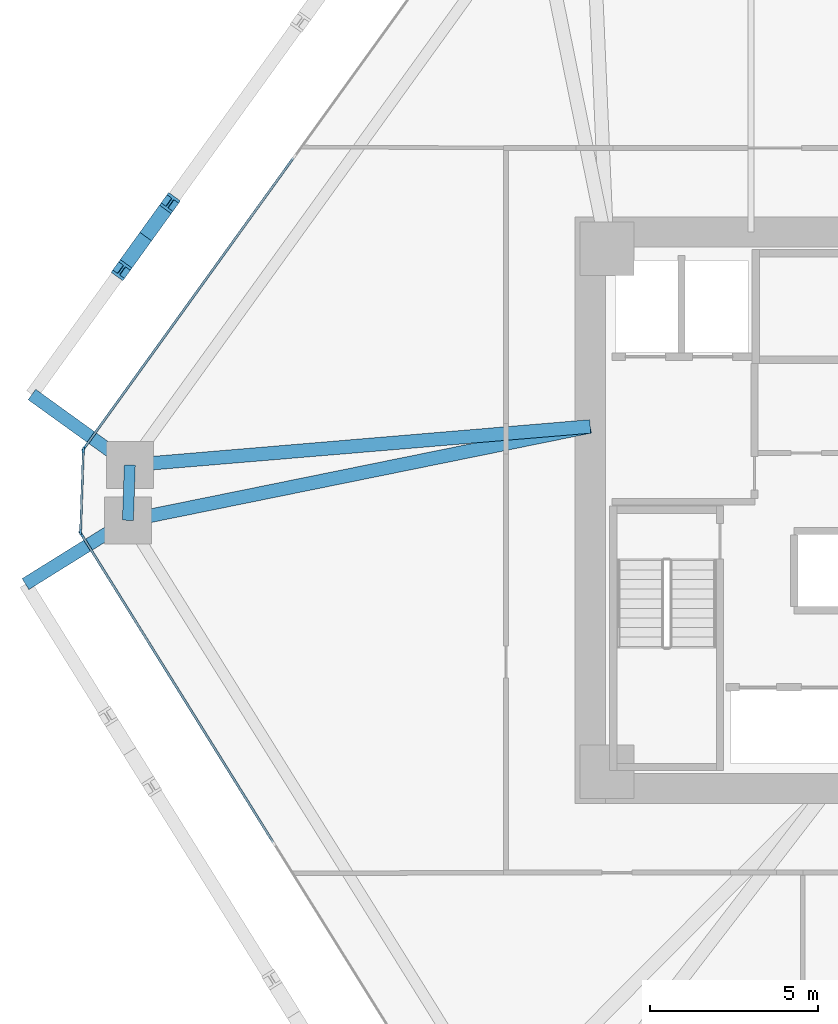
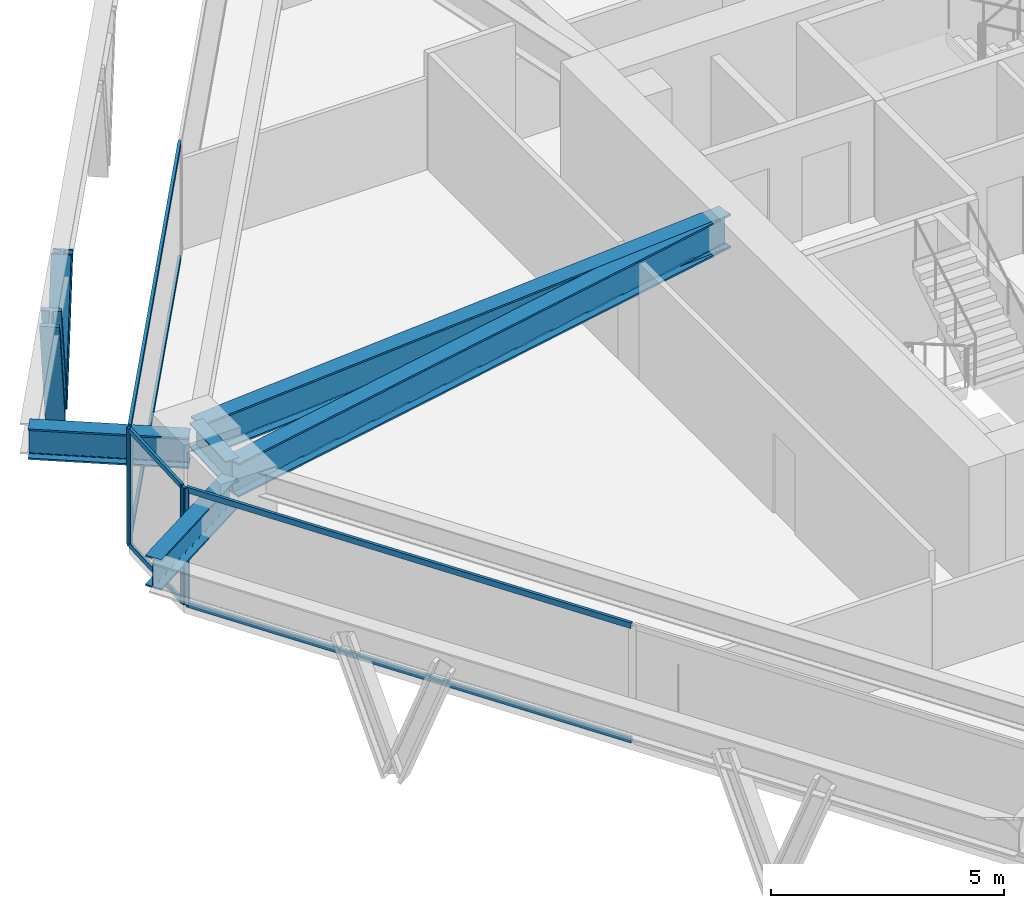
# One storey, part 4 of 14: 12 members, 5 beams, 3 elements without a shape of their own.
"""IFC4 building model written with IfcOpenShell, lengths in metres."""

from ifc_helpers import new_model, si_unit, direction, frame, origin, origin_2d, place, context, subcontext, project, spatial, rectangle, i_section, extrude, source, transform, mapped, material, layer, layer_set, material_profile, profile_set, type_object, type_shapes, element, aggregate, save


model = new_model("IFC4")

# Units and contexts
model_context = context("Model", 3, precision=1e-05, world=origin(), true_north=direction((0.0, 1.0)))
body_context = subcontext(model_context, "Body", "Model", "MODEL_VIEW")
ifc_project = project(units=[si_unit("LENGTHUNIT", "METRE"), si_unit("AREAUNIT", "SQUARE_METRE"), si_unit("VOLUMEUNIT", "CUBIC_METRE"), si_unit("PLANEANGLEUNIT", "RADIAN"), si_unit("MASSUNIT", "GRAM", prefix="KILO")], contexts=[model_context])

# Site, building, storey
site_placement = place(None, origin())
site = spatial("IfcSite", under=ifc_project, at=site_placement, CompositionType="ELEMENT")
building_placement = place(site_placement, origin())
building = spatial("IfcBuilding", under=site, at=building_placement, Name="Durnholm Broadcast Tower", CompositionType="ELEMENT")
storey_placement = place(building_placement, frame((0.0, 0.0, 35.699951171875)))
storey = spatial("IfcBuildingStorey", under=building, at=storey_placement, Name="L07", CompositionType="ELEMENT", Elevation=35.699951171875)

# Beams
ifc_material_1 = material(Name="Steel ASTM A992 Grade 50", Category="steel")
ifc_material_profile_1 = material_profile(ifc_material_1, i_section(OverallWidth=0.3291015625, OverallDepth=0.635009765625, WebThickness=0.017822265625, FlangeThickness=0.031005859375, FilletRadius=0.02783203125, at=origin_2d()), Name="W24X162")
ifc_profile_set_1 = profile_set([ifc_material_profile_1], Name="Steel ASTM A992 Grade 50")
beam_type_1 = type_object("IfcBeamType", Name="STL-SP-W24X162", PredefinedType="SPANDREL", material=ifc_profile_set_1)
shared_shape_1 = source(origin(), body_context, "Body", "SweptSolid", [
    extrude(i_section(OverallWidth=0.3291015625, OverallDepth=0.635009765625, WebThickness=0.017822265625, FlangeThickness=0.031005859375, FilletRadius=0.02783203125, at=origin_2d()), origin(), (0.0, 0.0, 1.0), 1.648193359375),
])
type_shapes(beam_type_1, [shared_shape_1])
beam_1_placement = place(storey_placement, frame((-24.0908203125, -0.2998046875, 2.7275390625), z_axis=(0.033921477804, 0.999424501072, 0.0), x_axis=(-0.999424501072, 0.033921477804, 0.0)))
element("IfcBeam", 1, at=beam_1_placement, inside=storey, type_object=beam_type_1, Name="L07 perimeter spandrel girder 02", PredefinedType="SPANDREL", context=body_context, shape_type="MappedRepresentation", body=[
    mapped(shared_shape_1, transform((0.0, 0.0, 0.0), x_axis=(1.0, 0.0, 0.0), y_axis=(0.0, 1.0, 0.0), z_axis=(0.0, 0.0, 1.0), scale=1.0)),
])
ifc_material_profile_2 = material_profile(ifc_material_1, i_section(OverallWidth=0.404052734375, OverallDepth=0.885009765625, WebThickness=0.0244140625, FlangeThickness=0.0439453125, FilletRadius=0.03564453125, at=origin_2d()), Name="W33X291")
ifc_profile_set_2 = profile_set([ifc_material_profile_2], Name="Steel ASTM A992 Grade 50")
beam_type_2 = type_object("IfcBeamType", Name="STL-GR-W33X291", PredefinedType="USERDEFINED", material=ifc_profile_set_2)
shared_shape_2 = source(origin(), body_context, "Body", "SweptSolid", [
    extrude(i_section(OverallWidth=0.404052734375, OverallDepth=0.885009765625, WebThickness=0.0244140625, FlangeThickness=0.0439453125, FilletRadius=0.03564453125, at=origin_2d()), origin(), (0.0, 0.0, 1.0), 14.072021484375),
])
beam_2_placement = place(storey_placement, frame((-10.300048828125, 2.5, 2.6025390625), z_axis=(-0.980007356767, -0.198961254225, 0.0), x_axis=(0.198961254225, -0.980007356767, 0.0)))
element("IfcBeam", 2, at=beam_2_placement, inside=storey, type_object=beam_type_2, Name="L07 radial primary floor girder 02", ObjectType="GIRDER", PredefinedType="USERDEFINED", context=body_context, shape_type="MappedRepresentation", body=[
    mapped(shared_shape_2, transform((0.0, 0.0, 0.0), x_axis=(1.0, 0.0, 0.0), y_axis=(0.0, 1.0, 0.0), z_axis=(0.0, 0.0, 1.0), scale=1.0)),
])
shared_shape_3 = source(origin(), body_context, "Body", "SweptSolid", [
    extrude(i_section(OverallWidth=0.404052734375, OverallDepth=0.885009765625, WebThickness=0.0244140625, FlangeThickness=0.0439453125, FilletRadius=0.03564453125, at=origin_2d()), origin(), (0.0, 0.0, 1.0), 13.783203125),
])
type_shapes(beam_type_2, [shared_shape_2, shared_shape_3])
beam_3_placement = place(storey_placement, frame((-10.300048828125, 2.5, 2.6025390625), z_axis=(-0.996497460403, -0.083623031579, 0.0), x_axis=(0.083623031579, -0.996497460403, 0.0)))
element("IfcBeam", 3, at=beam_3_placement, inside=storey, type_object=beam_type_2, Name="L07 radial primary floor girder 03", ObjectType="GIRDER", PredefinedType="USERDEFINED", context=body_context, shape_type="MappedRepresentation", body=[
    mapped(shared_shape_3, transform((0.0, 0.0, 0.0), x_axis=(1.0, 0.0, 0.0), y_axis=(0.0, 1.0, 0.0), z_axis=(0.0, 0.0, 1.0), scale=1.0)),
])
ifc_material_profile_3 = material_profile(ifc_material_1, i_section(OverallWidth=0.385009765625, OverallDepth=0.802978515625, WebThickness=0.023681640625, FlangeThickness=0.0419921875, FilletRadius=0.032958984375, at=origin_2d()), Name="W30X261")
ifc_profile_set_3 = profile_set([ifc_material_profile_3], Name="Steel ASTM A992 Grade 50")
beam_type_3 = type_object("IfcBeamType", Name="BM-EXO-TIE", PredefinedType="USERDEFINED", material=ifc_profile_set_3)
shared_shape_4 = source(origin(), body_context, "Body", "SweptSolid", [
    extrude(i_section(OverallWidth=0.385009765625, OverallDepth=0.802978515625, WebThickness=0.023681640625, FlangeThickness=0.0419921875, FilletRadius=0.032958984375, at=origin_2d()), origin(), (0.0, 0.0, 1.0), 3.4560546875),
])
beam_4_placement = place(storey_placement, frame((-24.212890625, -0.375732421875, 2.30859375), z_axis=(-0.848874183218, -0.528594949906, 0.0), x_axis=(0.528594949906, -0.848874183218, 0.0)))
element("IfcBeam", 4, at=beam_4_placement, inside=storey, type_object=beam_type_3, Name="L07 exoskeleton stand-off tie bracket F6.1", ObjectType="GIRDER", PredefinedType="USERDEFINED", context=body_context, shape_type="MappedRepresentation", body=[
    mapped(shared_shape_4, transform((0.0, 0.0, 0.0), x_axis=(1.0, 0.0, 0.0), y_axis=(0.0, 1.0, 0.0), z_axis=(0.0, 0.0, 1.0), scale=1.0)),
])
shared_shape_5 = source(origin(), body_context, "Body", "SweptSolid", [
    extrude(i_section(OverallWidth=0.385009765625, OverallDepth=0.802978515625, WebThickness=0.023681640625, FlangeThickness=0.0419921875, FilletRadius=0.032958984375, at=origin_2d()), origin(), (0.0, 0.0, 1.0), 3.455810546875),
])
type_shapes(beam_type_3, [shared_shape_4, shared_shape_5])
beam_5_placement = place(storey_placement, frame((-24.15185546875, 1.431396484375, 2.30859375), z_axis=(-0.811133512552, 0.584861030344, 0.0), x_axis=(-0.584861030344, -0.811133512552, 0.0)))
element("IfcBeam", 5, at=beam_5_placement, inside=storey, type_object=beam_type_3, Name="L07 exoskeleton stand-off tie bracket F5.2", ObjectType="GIRDER", PredefinedType="USERDEFINED", context=body_context, shape_type="MappedRepresentation", body=[
    mapped(shared_shape_5, transform((0.0, 0.0, 0.0), x_axis=(1.0, 0.0, 0.0), y_axis=(0.0, 1.0, 0.0), z_axis=(0.0, 0.0, 1.0), scale=1.0)),
])

# Members
ifc_material_2 = material(Name="Steel ASTM A913 Grade 65", Category="steel")
ifc_material_profile_4 = material_profile(ifc_material_2, i_section(OverallWidth=0.43212890625, OverallDepth=0.497802734375, WebThickness=0.0556640625, FlangeThickness=0.0888671875, FilletRadius=0.030517578125, at=origin_2d()), Name="W14X500")
ifc_profile_set_4 = profile_set([ifc_material_profile_4], Name="Steel ASTM A913 Grade 65")
member_type_1 = type_object("IfcMemberType", Name="STL-DG-W14X500", PredefinedType="BRACE", material=ifc_profile_set_4)
shared_shape_6 = source(origin(), body_context, "Body", "SweptSolid", [
    extrude(i_section(OverallWidth=0.43212890625, OverallDepth=0.497802734375, WebThickness=0.0556640625, FlangeThickness=0.0888671875, FilletRadius=0.030517578125, at=origin_2d()), origin(), (0.0, 0.0, 1.0), 3.523193359375),
])
type_shapes(member_type_1, [shared_shape_6])
for number, where, z_axis, x_axis, name in (
    (6, (-23.5595703125, 8.16259765625, -0.991455078125), (0.204839138341, 0.284044529113, 0.93667477434), (-0.81109123444, 0.58491966065, 0.0), "L07 stand-off diagrid brace F5.D2.1"),
    (7, (-23.5595703125, 8.16259765625, -0.991455078125), (-0.20477274847, -0.284048560399, 0.936688068046), (0.811185111535, -0.584789461963, 0.0), "L07 stand-off diagrid brace F5.D2.2"),
):
    element("IfcMember", number, at=place(storey_placement, frame(where, z_axis=z_axis, x_axis=x_axis)), inside=storey, type_object=member_type_1, Name=name, PredefinedType="BRACE", context=body_context, shape_type="MappedRepresentation", body=[
        mapped(shared_shape_6, transform((0.0, 0.0, 0.0), x_axis=(1.0, 0.0, 0.0), y_axis=(0.0, 1.0, 0.0), z_axis=(0.0, 0.0, 1.0), scale=1.0)),
    ])

# Curtain wall, members
ifc_material_3 = material(Name="Aluminium and Solar Control IGU", Category="aluminium")
ifc_layer_1 = layer(ifc_material_3, 0.1650390625)
ifc_layer_set_1 = layer_set([ifc_layer_1], Name="Aluminium and Solar Control IGU")
curtain_wall_type_1 = type_object("IfcCurtainWallType", Name="CW-SYS-5", PredefinedType="NOTDEFINED", material=ifc_layer_set_1)
curtain_wall_1_placement = place(storey_placement, origin())
curtain_wall_1 = element("IfcCurtainWall", 8, at=curtain_wall_1_placement, inside=storey, type_object=curtain_wall_type_1, Name="L07 curtain wall CW-CORNER CW-L07-CRN-01", PredefinedType="NOTDEFINED")
ifc_material_4 = material(Name="Aluminium 6063-T6", Category="aluminium")
ifc_material_profile_5 = material_profile(ifc_material_4, rectangle(XDim=0.06494140625, YDim=0.1650390625, at=origin_2d()), Name="CWM65X165")
ifc_profile_set_5 = profile_set([ifc_material_profile_5], Name="Aluminium 6063-T6")
member_type_2 = type_object("IfcMemberType", Name="CW-SYS-5-MUL", PredefinedType="MULLION", material=ifc_profile_set_5)
shared_shape_7 = source(origin(), body_context, "Body", "SweptSolid", [
    extrude(rectangle(XDim=0.06494140625, YDim=0.1650390625, at=origin_2d()), origin(), (0.0, 0.0, 1.0), 3.06005859375),
])
type_shapes(member_type_2, [shared_shape_7])
member_1_placement = place(storey_placement, frame((-25.50341796875, -0.6455078125, 0.0), z_axis=(0.0, 0.0, 1.0), x_axis=(-0.999427277772, 0.033839569233, 0.0)))
member_1 = element("IfcMember", 9, at=member_1_placement, type_object=member_type_2, Name="CW-CORNER mullion 1", PredefinedType="MULLION", context=body_context, shape_type="MappedRepresentation", body=[
    mapped(shared_shape_7, transform((0.0, 0.0, 0.0), x_axis=(1.0, 0.0, 0.0), y_axis=(0.0, 1.0, 0.0), z_axis=(0.0, 0.0, 1.0), scale=1.0)),
])
member_2_placement = place(storey_placement, frame((-25.4208984375, 1.7880859375, 0.0), z_axis=(0.0, 0.0, 1.0), x_axis=(-0.999427277772, 0.033839569233, 0.0)))
member_2 = element("IfcMember", 10, at=member_2_placement, type_object=member_type_2, Name="CW-CORNER mullion 2", PredefinedType="MULLION", context=body_context, shape_type="MappedRepresentation", body=[
    mapped(shared_shape_7, transform((0.0, 0.0, 0.0), x_axis=(1.0, 0.0, 0.0), y_axis=(0.0, 1.0, 0.0), z_axis=(0.0, 0.0, 1.0), scale=1.0)),
])
ifc_material_profile_6 = material_profile(ifc_material_4, rectangle(XDim=0.06494140625, YDim=0.1298828125, at=origin_2d()), Name="CWT65X130")
ifc_profile_set_6 = profile_set([ifc_material_profile_6], Name="Aluminium 6063-T6")
member_type_3 = type_object("IfcMemberType", Name="CW-SYS-5-TRN", PredefinedType="USERDEFINED", material=ifc_profile_set_6)
shared_shape_8 = source(origin(), body_context, "Body", "SweptSolid", [
    extrude(rectangle(XDim=0.06494140625, YDim=0.1298828125, at=origin_2d()), origin(), (0.0, 0.0, 1.0), 2.3701171875),
])
type_shapes(member_type_3, [shared_shape_8])
member_3_placement = place(storey_placement, frame((-25.502197265625, -0.613037109375, 0.032470703125), z_axis=(0.033788158898, 0.999429017148, 0.0), x_axis=(-0.999429017148, 0.033788158898, 0.0)))
member_3 = element("IfcMember", 11, at=member_3_placement, type_object=member_type_3, Name="CW-CORNER transom 1.1", ObjectType="TRANSOM", PredefinedType="USERDEFINED", context=body_context, shape_type="MappedRepresentation", body=[
    mapped(shared_shape_8, transform((0.0, 0.0, 0.0), x_axis=(1.0, 0.0, 0.0), y_axis=(0.0, 1.0, 0.0), z_axis=(0.0, 0.0, 1.0), scale=1.0)),
])
member_4_placement = place(storey_placement, frame((-25.502197265625, -0.613037109375, 3.027587890625), z_axis=(0.033788158898, 0.999429017148, 0.0), x_axis=(-0.999429017148, 0.033788158898, 0.0)))
member_4 = element("IfcMember", 12, at=member_4_placement, type_object=member_type_3, Name="CW-CORNER transom 1.2", ObjectType="TRANSOM", PredefinedType="USERDEFINED", context=body_context, shape_type="MappedRepresentation", body=[
    mapped(shared_shape_8, transform((0.0, 0.0, 0.0), x_axis=(1.0, 0.0, 0.0), y_axis=(0.0, 1.0, 0.0), z_axis=(0.0, 0.0, 1.0), scale=1.0)),
])
aggregate(curtain_wall_1, [member_1, member_2, member_3, member_4])

# Curtain wall, member
ifc_layer_2 = layer(ifc_material_3, 0.18994140625)
ifc_layer_set_2 = layer_set([ifc_layer_2], Name="Aluminium and Solar Control IGU")
curtain_wall_type_2 = type_object("IfcCurtainWallType", Name="CW-SYS-3", PredefinedType="NOTDEFINED", material=ifc_layer_set_2)
curtain_wall_2_placement = place(storey_placement, origin())
curtain_wall_2 = element("IfcCurtainWall", 13, at=curtain_wall_2_placement, inside=storey, type_object=curtain_wall_type_2, Name="L07 curtain wall CW-Z12-VIS CW-L07-F02", PredefinedType="NOTDEFINED")
ifc_material_profile_7 = material_profile(ifc_material_4, rectangle(XDim=0.070068359375, YDim=0.18994140625, at=origin_2d()), Name="CWM70X190")
ifc_profile_set_7 = profile_set([ifc_material_profile_7], Name="Aluminium 6063-T6")
member_type_4 = type_object("IfcMemberType", Name="CW-SYS-3-MUL", PredefinedType="MULLION", material=ifc_profile_set_7)
shared_shape_9 = source(origin(), body_context, "Body", "SweptSolid", [
    extrude(rectangle(XDim=0.070068359375, YDim=0.18994140625, at=origin_2d()), origin(), (0.0, 0.0, 1.0), 3.06005859375),
])
type_shapes(member_type_4, [shared_shape_9])
member_5_placement = place(storey_placement, frame((-25.3994140625, 1.848876953125, 0.0), z_axis=(0.0, 0.0, 1.0), x_axis=(-0.81116057493, 0.584823496176, 0.0)))
member_5 = element("IfcMember", 14, at=member_5_placement, type_object=member_type_4, Name="CW-Z12-VIS mullion 1", PredefinedType="MULLION", context=body_context, shape_type="MappedRepresentation", body=[
    mapped(shared_shape_9, transform((0.0, 0.0, 0.0), x_axis=(1.0, 0.0, 0.0), y_axis=(0.0, 1.0, 0.0), z_axis=(0.0, 0.0, 1.0), scale=1.0)),
])

curtain_wall_3_placement = place(storey_placement, origin())
curtain_wall_3 = element("IfcCurtainWall", 15, at=curtain_wall_3_placement, inside=storey, type_object=curtain_wall_type_2, Name="L07 curtain wall CW-Z12-VIS CW-L07-F12", PredefinedType="NOTDEFINED")
member_6_placement = place(storey_placement, frame((-25.48583984375, -0.707763671875, 0.0), z_axis=(0.0, 0.0, 1.0), x_axis=(-0.848875785503, -0.528592376777, 0.0)))
member_6 = element("IfcMember", 16, at=member_6_placement, type_object=member_type_4, Name="CW-Z12-VIS mullion 3", PredefinedType="MULLION", context=body_context, shape_type="MappedRepresentation", body=[
    mapped(shared_shape_9, transform((0.0, 0.0, 0.0), x_axis=(1.0, 0.0, 0.0), y_axis=(0.0, 1.0, 0.0), z_axis=(0.0, 0.0, 1.0), scale=1.0)),
])

# Member
ifc_material_profile_8 = material_profile(ifc_material_4, rectangle(XDim=0.070068359375, YDim=0.14990234375, at=origin_2d()), Name="CWT70X150")
ifc_profile_set_8 = profile_set([ifc_material_profile_8], Name="Aluminium 6063-T6")
member_type_5 = type_object("IfcMemberType", Name="CW-SYS-3-TRN", PredefinedType="USERDEFINED", material=ifc_profile_set_8)
shared_shape_10 = source(origin(), body_context, "Body", "SweptSolid", [
    extrude(rectangle(XDim=0.070068359375, YDim=0.14990234375, at=origin_2d()), origin(), (0.0, 0.0, 1.0), 10.6455078125),
])
member_7_placement = place(storey_placement, frame((-25.37890625, 1.877197265625, 0.03515625), z_axis=(0.584812103659, 0.811168788486, 0.0), x_axis=(-0.811168788486, 0.584812103659, 0.0)))
member_7 = element("IfcMember", 17, at=member_7_placement, type_object=member_type_5, Name="CW-Z12-VIS transom 1.1", ObjectType="TRANSOM", PredefinedType="USERDEFINED", context=body_context, shape_type="MappedRepresentation", body=[
    mapped(shared_shape_10, transform((0.0, 0.0, 0.0), x_axis=(1.0, 0.0, 0.0), y_axis=(0.0, 1.0, 0.0), z_axis=(0.0, 0.0, 1.0), scale=1.0)),
])

member_8_placement = place(storey_placement, frame((-25.37890625, 1.877197265625, 3.025146484375), z_axis=(0.584812103659, 0.811168788486, 0.0), x_axis=(-0.811168788486, 0.584812103659, 0.0)))
member_8 = element("IfcMember", 18, at=member_8_placement, type_object=member_type_5, Name="CW-Z12-VIS transom 1.2", ObjectType="TRANSOM", PredefinedType="USERDEFINED", context=body_context, shape_type="MappedRepresentation", body=[
    mapped(shared_shape_10, transform((0.0, 0.0, 0.0), x_axis=(1.0, 0.0, 0.0), y_axis=(0.0, 1.0, 0.0), z_axis=(0.0, 0.0, 1.0), scale=1.0)),
])

aggregate(curtain_wall_2, [member_5, member_7, member_8])

shared_shape_11 = source(origin(), body_context, "Body", "SweptSolid", [
    extrude(rectangle(XDim=0.070068359375, YDim=0.14990234375, at=origin_2d()), origin(), (0.0, 0.0, 1.0), 10.796630859375),
])
type_shapes(member_type_5, [shared_shape_10, shared_shape_11])
member_9_placement = place(storey_placement, frame((-19.760498046875, -9.902587890625, 0.03515625), z_axis=(-0.528575362968, 0.848886379714, 0.0), x_axis=(-0.848886379714, -0.528575362968, 0.0)))
member_9 = element("IfcMember", 19, at=member_9_placement, type_object=member_type_5, Name="CW-Z12-VIS transom 2.1", ObjectType="TRANSOM", PredefinedType="USERDEFINED", context=body_context, shape_type="MappedRepresentation", body=[
    mapped(shared_shape_11, transform((0.0, 0.0, 0.0), x_axis=(1.0, 0.0, 0.0), y_axis=(0.0, 1.0, 0.0), z_axis=(0.0, 0.0, 1.0), scale=1.0)),
])

member_10_placement = place(storey_placement, frame((-19.760498046875, -9.902587890625, 3.025146484375), z_axis=(-0.528575362968, 0.848886379714, 0.0), x_axis=(-0.848886379714, -0.528575362968, 0.0)))
member_10 = element("IfcMember", 20, at=member_10_placement, type_object=member_type_5, Name="CW-Z12-VIS transom 2.2", ObjectType="TRANSOM", PredefinedType="USERDEFINED", context=body_context, shape_type="MappedRepresentation", body=[
    mapped(shared_shape_11, transform((0.0, 0.0, 0.0), x_axis=(1.0, 0.0, 0.0), y_axis=(0.0, 1.0, 0.0), z_axis=(0.0, 0.0, 1.0), scale=1.0)),
])

aggregate(curtain_wall_3, [member_6, member_9, member_10])

save(model, "model.ifc")
